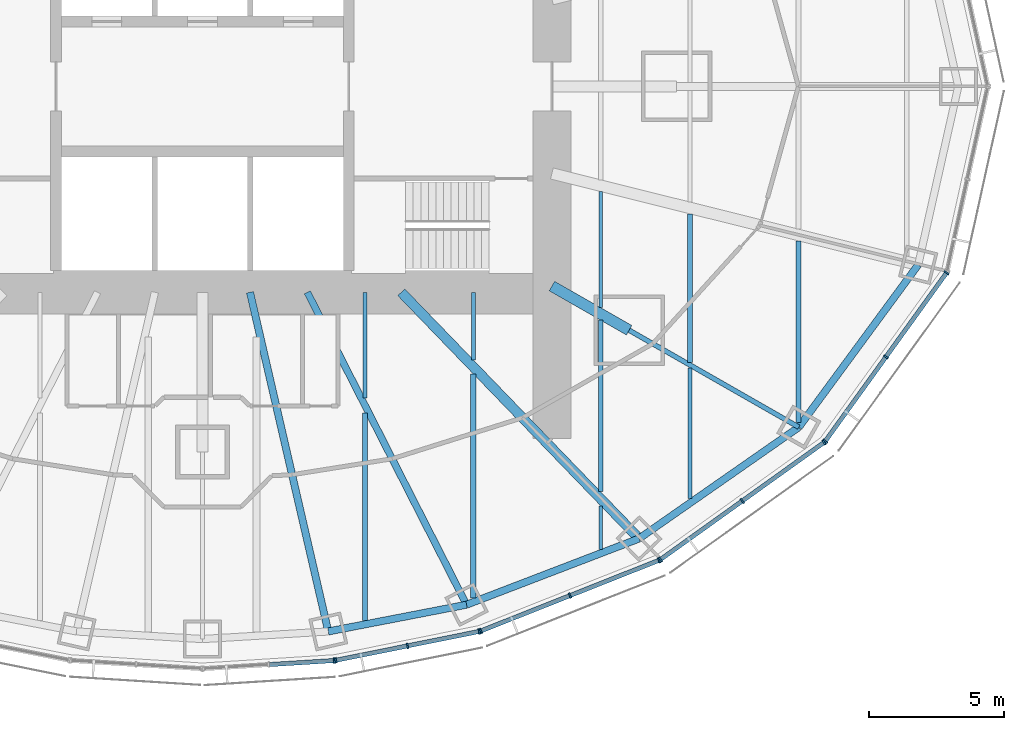
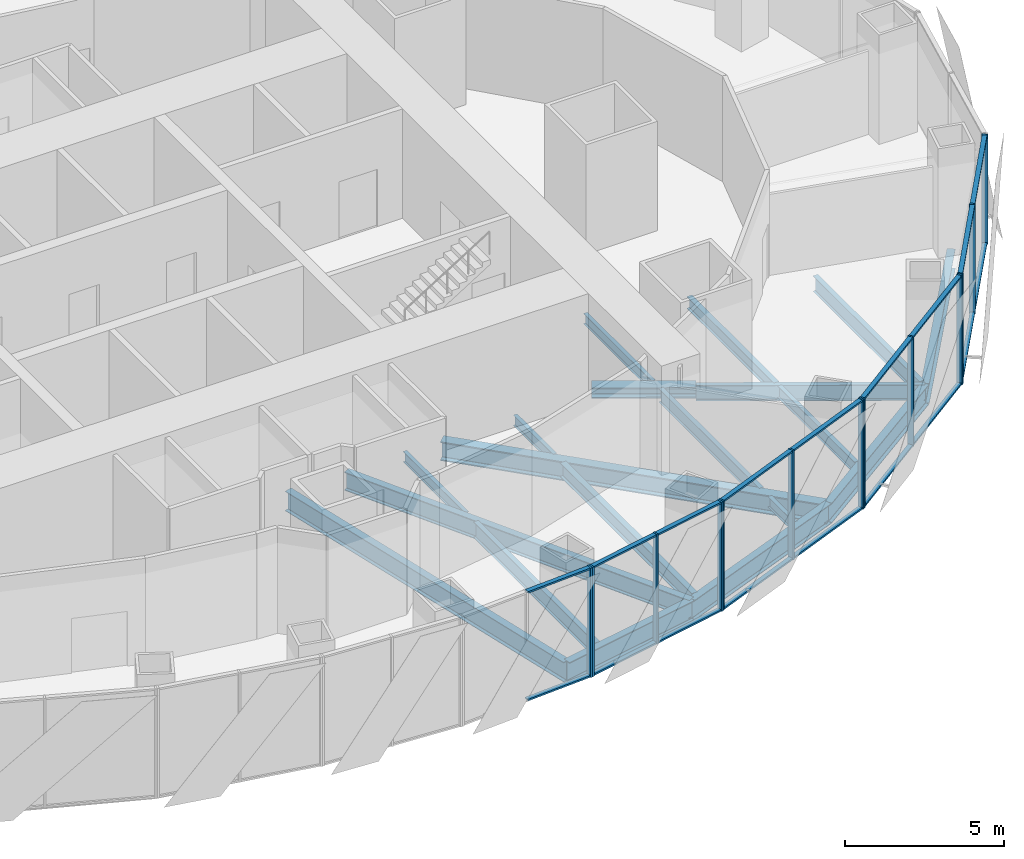
# One storey, part 5 of 17: 31 members, 19 beams, 5 elements without a shape of their own.
"""IFC4 building model written with IfcOpenShell, lengths in metres."""

from ifc_helpers import new_model, si_unit, direction, frame, origin, origin_2d, place, context, subcontext, project, spatial, rectangle, i_section, extrude, material, material_profile, profile_set, type_object, element, aggregate, save


model = new_model("IFC4")

# Units and contexts
model_context = context("Model", 3, precision=1e-05, world=origin(), true_north=direction((0.0, 1.0)))
body_context = subcontext(model_context, "Body", "Model", "MODEL_VIEW")
ifc_project = project(units=[si_unit("LENGTHUNIT", "METRE"), si_unit("AREAUNIT", "SQUARE_METRE"), si_unit("VOLUMEUNIT", "CUBIC_METRE"), si_unit("PLANEANGLEUNIT", "RADIAN"), si_unit("MASSUNIT", "GRAM", prefix="KILO")], contexts=[model_context])

# Site, building, storey
site_placement = place(None, origin())
site = spatial("IfcSite", under=ifc_project, at=site_placement, CompositionType="ELEMENT")
building_placement = place(site_placement, origin())
building = spatial("IfcBuilding", under=site, at=building_placement, Name="Lantaw Convention Tower", CompositionType="ELEMENT")
storey_placement = place(building_placement, frame((0.0, 0.0, 125.800048828125)))
storey = spatial("IfcBuildingStorey", under=building, at=storey_placement, Name="L29", CompositionType="ELEMENT", Elevation=125.800048828125)

# Beams
ifc_material_1 = material(Name="Steel ASTM A992", Category="steel")
ifc_material_profile_1 = material_profile(ifc_material_1, i_section(OverallWidth=0.2666015625, OverallDepth=0.76953125, WebThickness=0.015625, FlangeThickness=0.025390625, FilletRadius=0.0126953125, at=origin_2d()), Name="W30X132")
ifc_profile_set_1 = profile_set([ifc_material_profile_1], Name="Steel ASTM A992")
beam_type_1 = type_object("IfcBeamType", Name="Beam E W30X132", PredefinedType="SPANDREL", material=ifc_profile_set_1)
beam_1_placement = place(storey_placement, frame((4.64501953125, -20.1201171875, -0.534912109375), z_axis=(0.981796805654, 0.189934284446, 0.0), x_axis=(-0.189934284446, 0.981796805654, 0.0)))
element("IfcBeam", 1, at=beam_1_placement, inside=storey, type_object=beam_type_1, Name="Edge beam 20", PredefinedType="SPANDREL", context=body_context, shape_type="SweptSolid", body=[
    extrude(i_section(OverallWidth=0.2666015625, OverallDepth=0.76953125, WebThickness=0.015625, FlangeThickness=0.025390625, FilletRadius=0.0126953125, at=origin_2d()), origin(), (0.0, 0.0, 1.0), 5.1982421875),
])
beam_2_placement = place(storey_placement, frame((9.74853515625, -19.1328125, -0.534912109375), z_axis=(0.933691081977, 0.358079549033, 0.0), x_axis=(-0.358079549033, 0.933691081977, 0.0)))
element("IfcBeam", 2, at=beam_2_placement, inside=storey, type_object=beam_type_1, Name="Edge beam 21", PredefinedType="SPANDREL", context=body_context, shape_type="SweptSolid", body=[
    extrude(i_section(OverallWidth=0.2666015625, OverallDepth=0.76953125, WebThickness=0.015625, FlangeThickness=0.025390625, FilletRadius=0.0126953125, at=origin_2d()), origin(), (0.0, 0.0, 1.0), 6.821533203125),
])
beam_3_placement = place(storey_placement, frame((16.11767578125, -16.690185546875, -0.534912109375), z_axis=(0.820310765287, 0.57191804339, 0.0), x_axis=(-0.57191804339, 0.820310765287, 0.0)))
element("IfcBeam", 3, at=beam_3_placement, inside=storey, type_object=beam_type_1, Name="Edge beam 22", PredefinedType="SPANDREL", context=body_context, shape_type="SweptSolid", body=[
    extrude(i_section(OverallWidth=0.2666015625, OverallDepth=0.76953125, WebThickness=0.015625, FlangeThickness=0.025390625, FilletRadius=0.0126953125, at=origin_2d()), origin(), (0.0, 0.0, 1.0), 7.187744140625),
])
beam_4_placement = place(storey_placement, frame((22.013916015625, -12.579345703125, -0.534912109375), z_axis=(0.5923891972, 0.805651934176, 0.0), x_axis=(-0.805651934176, 0.5923891972, 0.0)))
element("IfcBeam", 4, at=beam_4_placement, inside=storey, type_object=beam_type_1, Name="Edge beam 23", PredefinedType="SPANDREL", context=body_context, shape_type="SweptSolid", body=[
    extrude(i_section(OverallWidth=0.2666015625, OverallDepth=0.76953125, WebThickness=0.015625, FlangeThickness=0.025390625, FilletRadius=0.0126953125, at=origin_2d()), origin(), (0.0, 0.0, 1.0), 7.437744140625),
])
ifc_material_profile_2 = material_profile(ifc_material_1, i_section(OverallWidth=0.177978515625, OverallDepth=0.599365234375, WebThickness=0.010009765625, FlangeThickness=0.012939453125, FilletRadius=0.012939453125, at=origin_2d()), Name="W24X55")
ifc_profile_set_2 = profile_set([ifc_material_profile_2], Name="Steel ASTM A992")
beam_type_2 = type_object("IfcBeamType", Name="Beam G W24X55", PredefinedType="BEAM", material=ifc_profile_set_2)
beam_5_placement = place(storey_placement, frame((15.75, -9.0, -0.44970703125), z_axis=(0.868245224608, -0.496135293993, 0.0), x_axis=(0.496135293993, 0.868245224608, 0.0)))
element("IfcBeam", 5, at=beam_5_placement, inside=storey, type_object=beam_type_2, Name="Floor girder on ray 23", PredefinedType="BEAM", context=body_context, shape_type="SweptSolid", body=[
    extrude(i_section(OverallWidth=0.177978515625, OverallDepth=0.599365234375, WebThickness=0.010009765625, FlangeThickness=0.012939453125, FilletRadius=0.012939453125, at=origin_2d()), origin(), (0.0, 0.0, 1.0), 7.21435546875),
])
ifc_material_profile_3 = material_profile(ifc_material_1, i_section(OverallWidth=0.25390625, OverallDepth=0.700927734375, WebThickness=0.015380859375, FlangeThickness=0.02783203125, FilletRadius=0.01513671875, at=origin_2d()), Name="W27X129")
ifc_profile_set_3 = profile_set([ifc_material_profile_3], Name="Steel ASTM A992")
beam_type_3 = type_object("IfcBeamType", Name="Beam G W27X129", PredefinedType="BEAM", material=ifc_profile_set_3)
beam_6_placement = place(storey_placement, frame((3.872314453125, -7.60009765625, -0.50048828125), z_axis=(0.453991051051, -0.891006243281, 0.0), x_axis=(0.891006243281, 0.453991051051, 0.0)))
element("IfcBeam", 6, at=beam_6_placement, inside=storey, type_object=beam_type_3, Name="Floor girder on ray 21", PredefinedType="BEAM", context=body_context, shape_type="SweptSolid", body=[
    extrude(i_section(OverallWidth=0.25390625, OverallDepth=0.700927734375, WebThickness=0.015380859375, FlangeThickness=0.02783203125, FilletRadius=0.01513671875, at=origin_2d()), origin(), (0.0, 0.0, 1.0), 12.943359375),
])
ifc_material_profile_4 = material_profile(ifc_material_1, i_section(OverallWidth=0.360595703125, OverallDepth=0.72900390625, WebThickness=0.023193359375, FlangeThickness=0.041015625, FilletRadius=0.0126953125, at=origin_2d()), Name="W27X235")
ifc_profile_set_4 = profile_set([ifc_material_profile_4], Name="Steel ASTM A992")
beam_type_4 = type_object("IfcBeamType", Name="Beam G W27X235", PredefinedType="BEAM", material=ifc_profile_set_4)
beam_7_placement = place(storey_placement, frame((7.33935546875, -7.60009765625, -0.5146484375), z_axis=(0.694663467407, -0.719334878239, 0.0), x_axis=(0.719334878239, 0.694663467407, 0.0)))
element("IfcBeam", 7, at=beam_7_placement, inside=storey, type_object=beam_type_4, Name="Floor girder on ray 22", PredefinedType="BEAM", context=body_context, shape_type="SweptSolid", body=[
    extrude(i_section(OverallWidth=0.360595703125, OverallDepth=0.72900390625, WebThickness=0.023193359375, FlangeThickness=0.041015625, FilletRadius=0.0126953125, at=origin_2d()), origin(), (0.0, 0.0, 1.0), 12.63671875),
])
ifc_material_profile_5 = material_profile(ifc_material_1, i_section(OverallWidth=0.2666015625, OverallDepth=0.7568359375, WebThickness=0.013916015625, FlangeThickness=0.019287109375, FilletRadius=0.0126953125, at=origin_2d()), Name="W30X108")
ifc_profile_set_5 = profile_set([ifc_material_profile_5], Name="Steel ASTM A992")
beam_type_5 = type_object("IfcBeamType", Name="Beam G W30X108", PredefinedType="BEAM", material=ifc_profile_set_5)
beam_8_placement = place(storey_placement, frame((1.754638671875, -7.60009765625, -0.528564453125), z_axis=(0.224944153104, -0.974371658036, 0.0), x_axis=(0.974371658036, 0.224944153104, 0.0)))
element("IfcBeam", 8, at=beam_8_placement, inside=storey, type_object=beam_type_5, Name="Floor girder on ray 20", PredefinedType="BEAM", context=body_context, shape_type="SweptSolid", body=[
    extrude(i_section(OverallWidth=0.2666015625, OverallDepth=0.7568359375, WebThickness=0.013916015625, FlangeThickness=0.019287109375, FilletRadius=0.0126953125, at=origin_2d()), origin(), (0.0, 0.0, 1.0), 12.849365234375),
])
ifc_material_profile_6 = material_profile(ifc_material_1, i_section(OverallWidth=0.40380859375, OverallDepth=0.406494140625, WebThickness=0.027099609375, FlangeThickness=0.043701171875, FilletRadius=0.01513671875, at=origin_2d()), Name="W14X233")
ifc_profile_set_6 = profile_set([ifc_material_profile_6], Name="Steel ASTM A992")
beam_type_6 = type_object("IfcBeamType", Name="Beam GM W14X233", PredefinedType="BEAM", material=ifc_profile_set_6)
beam_9_placement = place(storey_placement, frame((12.89990234375, -7.371337890625, -0.353271484375), z_axis=(0.868238565244, -0.496146947811, 0.0), x_axis=(0.496146947811, 0.868238565244, 0.0)))
element("IfcBeam", 9, at=beam_9_placement, inside=storey, type_object=beam_type_6, Name="Core link beam on ray 23", PredefinedType="BEAM", context=body_context, shape_type="SweptSolid", body=[
    extrude(i_section(OverallWidth=0.40380859375, OverallDepth=0.406494140625, WebThickness=0.027099609375, FlangeThickness=0.043701171875, FilletRadius=0.01513671875, at=origin_2d()), origin(), (0.0, 0.0, 1.0), 3.28271484375),
])
ifc_material_profile_7 = material_profile(ifc_material_1, i_section(OverallWidth=0.140380859375, OverallDepth=0.40380859375, WebThickness=0.007080078125, FlangeThickness=0.01123046875, FilletRadius=0.01025390625, at=origin_2d()), Name="W16X31")
ifc_profile_set_7 = profile_set([ifc_material_profile_7], Name="Steel ASTM A992")
beam_type_7 = type_object("IfcBeamType", Name="Beam J W16X31", PredefinedType="JOIST", material=ifc_profile_set_7)
beam_10_placement = place(storey_placement, frame((6.0, -11.495849609375, -0.35205078125), z_axis=(0.0, 1.0, 0.0), x_axis=(-1.0, 0.0, 0.0)))
element("IfcBeam", 10, at=beam_10_placement, inside=storey, type_object=beam_type_7, Name="Floor joist", PredefinedType="JOIST", context=body_context, shape_type="SweptSolid", body=[
    extrude(i_section(OverallWidth=0.140380859375, OverallDepth=0.40380859375, WebThickness=0.007080078125, FlangeThickness=0.01123046875, FilletRadius=0.01025390625, at=origin_2d()), origin(), (0.0, 0.0, 1.0), 3.895751953125),
])
beam_11_placement = place(storey_placement, frame((10.0, -10.095703125, -0.35205078125), z_axis=(0.0, 1.0, 0.0), x_axis=(-1.0, 0.0, 0.0)))
element("IfcBeam", 11, at=beam_11_placement, inside=storey, type_object=beam_type_7, Name="Floor joist", PredefinedType="JOIST", context=body_context, shape_type="SweptSolid", body=[
    extrude(i_section(OverallWidth=0.140380859375, OverallDepth=0.40380859375, WebThickness=0.007080078125, FlangeThickness=0.01123046875, FilletRadius=0.01025390625, at=origin_2d()), origin(), (0.0, 0.0, 1.0), 2.49560546875),
])
beam_12_placement = place(storey_placement, frame((14.699951171875, -17.091064453125, -0.35205078125), z_axis=(0.0, 1.0, 0.0), x_axis=(-1.0, 0.0, 0.0)))
element("IfcBeam", 12, at=beam_12_placement, inside=storey, type_object=beam_type_7, Name="Floor joist", PredefinedType="JOIST", context=body_context, shape_type="SweptSolid", body=[
    extrude(i_section(OverallWidth=0.140380859375, OverallDepth=0.40380859375, WebThickness=0.007080078125, FlangeThickness=0.01123046875, FilletRadius=0.01025390625, at=origin_2d()), origin(), (0.0, 0.0, 1.0), 1.609130859375),
])
beam_13_placement = place(storey_placement, frame((14.699951171875, -8.16748046875, -0.35205078125), z_axis=(0.0, 1.0, 0.0), x_axis=(-1.0, 0.0, 0.0)))
element("IfcBeam", 13, at=beam_13_placement, inside=storey, type_object=beam_type_7, Name="Floor joist", PredefinedType="JOIST", context=body_context, shape_type="SweptSolid", body=[
    extrude(i_section(OverallWidth=0.140380859375, OverallDepth=0.40380859375, WebThickness=0.007080078125, FlangeThickness=0.01123046875, FilletRadius=0.01025390625, at=origin_2d()), origin(), (0.0, 0.0, 1.0), 4.28515625),
])
ifc_material_profile_8 = material_profile(ifc_material_1, i_section(OverallWidth=0.15234375, OverallDepth=0.449462890625, WebThickness=0.007568359375, FlangeThickness=0.0107421875, FilletRadius=0.01025390625, at=origin_2d()), Name="W18X35")
ifc_profile_set_8 = profile_set([ifc_material_profile_8], Name="Steel ASTM A992")
beam_type_8 = type_object("IfcBeamType", Name="Beam J W18X35", PredefinedType="JOIST", material=ifc_profile_set_8)
beam_14_placement = place(storey_placement, frame((18.0, -15.21533203125, -0.374755859375), z_axis=(0.0, 1.0, 0.0), x_axis=(-1.0, 0.0, 0.0)))
element("IfcBeam", 14, at=beam_14_placement, inside=storey, type_object=beam_type_8, Name="Floor joist", PredefinedType="JOIST", context=body_context, shape_type="SweptSolid", body=[
    extrude(i_section(OverallWidth=0.15234375, OverallDepth=0.449462890625, WebThickness=0.007568359375, FlangeThickness=0.0107421875, FilletRadius=0.01025390625, at=origin_2d()), origin(), (0.0, 0.0, 1.0), 4.8271484375),
])
ifc_material_profile_9 = material_profile(ifc_material_1, i_section(OverallWidth=0.1904296875, OverallDepth=0.457275390625, WebThickness=0.009033203125, FlangeThickness=0.014404296875, FilletRadius=0.01025390625, at=origin_2d()), Name="W18X50")
ifc_profile_set_9 = profile_set([ifc_material_profile_9], Name="Steel ASTM A992")
beam_type_9 = type_object("IfcBeamType", Name="Beam J W18X50", PredefinedType="JOIST", material=ifc_profile_set_9)
beam_15_placement = place(storey_placement, frame((18.0, -10.18310546875, -0.378662109375), z_axis=(0.0, 1.0, 0.0), x_axis=(-1.0, 0.0, 0.0)))
element("IfcBeam", 15, at=beam_15_placement, inside=storey, type_object=beam_type_9, Name="Floor joist", PredefinedType="JOIST", context=body_context, shape_type="SweptSolid", body=[
    extrude(i_section(OverallWidth=0.1904296875, OverallDepth=0.457275390625, WebThickness=0.009033203125, FlangeThickness=0.014404296875, FilletRadius=0.01025390625, at=origin_2d()), origin(), (0.0, 0.0, 1.0), 5.47802734375),
])
ifc_material_profile_10 = material_profile(ifc_material_1, i_section(OverallWidth=0.1650390625, OverallDepth=0.52587890625, WebThickness=0.0087890625, FlangeThickness=0.011474609375, FilletRadius=0.0126953125, at=origin_2d()), Name="W21X44")
ifc_profile_set_10 = profile_set([ifc_material_profile_10], Name="Steel ASTM A992")
beam_type_10 = type_object("IfcBeamType", Name="Beam J W21X44", PredefinedType="JOIST", material=ifc_profile_set_10)
beam_16_placement = place(storey_placement, frame((14.699951171875, -14.962646484375, -0.412841796875), z_axis=(0.0, 1.0, 0.0), x_axis=(-1.0, 0.0, 0.0)))
element("IfcBeam", 16, at=beam_16_placement, inside=storey, type_object=beam_type_10, Name="Floor joist", PredefinedType="JOIST", context=body_context, shape_type="SweptSolid", body=[
    extrude(i_section(OverallWidth=0.1650390625, OverallDepth=0.52587890625, WebThickness=0.0087890625, FlangeThickness=0.011474609375, FilletRadius=0.0126953125, at=origin_2d()), origin(), (0.0, 0.0, 1.0), 6.330078125),
])
ifc_material_profile_11 = material_profile(ifc_material_1, i_section(OverallWidth=0.2099609375, OverallDepth=0.535888671875, WebThickness=0.010986328125, FlangeThickness=0.017333984375, FilletRadius=0.012939453125, at=origin_2d()), Name="W21X68")
ifc_profile_set_11 = profile_set([ifc_material_profile_11], Name="Steel ASTM A992")
beam_type_11 = type_object("IfcBeamType", Name="Beam J W21X68", PredefinedType="JOIST", material=ifc_profile_set_11)
beam_17_placement = place(storey_placement, frame((10.0, -18.8935546875, -0.41796875), z_axis=(0.0, 1.0, 0.0), x_axis=(-1.0, 0.0, 0.0)))
element("IfcBeam", 17, at=beam_17_placement, inside=storey, type_object=beam_type_11, Name="Floor joist", PredefinedType="JOIST", context=body_context, shape_type="SweptSolid", body=[
    extrude(i_section(OverallWidth=0.2099609375, OverallDepth=0.535888671875, WebThickness=0.010986328125, FlangeThickness=0.017333984375, FilletRadius=0.012939453125, at=origin_2d()), origin(), (0.0, 0.0, 1.0), 8.278564453125),
])
ifc_material_profile_12 = material_profile(ifc_material_1, i_section(OverallWidth=0.177978515625, OverallDepth=0.599365234375, WebThickness=0.010009765625, FlangeThickness=0.012939453125, FilletRadius=0.012939453125, at=origin_2d()), Name="W24X55")
ifc_profile_set_12 = profile_set([ifc_material_profile_12], Name="Steel ASTM A992")
beam_type_12 = type_object("IfcBeamType", Name="Beam J W24X55", PredefinedType="JOIST", material=ifc_profile_set_12)
beam_18_placement = place(storey_placement, frame((6.0, -19.72216796875, -0.44970703125), z_axis=(0.0, 1.0, 0.0), x_axis=(-1.0, 0.0, 0.0)))
element("IfcBeam", 18, at=beam_18_placement, inside=storey, type_object=beam_type_12, Name="Floor joist", PredefinedType="JOIST", context=body_context, shape_type="SweptSolid", body=[
    extrude(i_section(OverallWidth=0.177978515625, OverallDepth=0.599365234375, WebThickness=0.010009765625, FlangeThickness=0.012939453125, FilletRadius=0.012939453125, at=origin_2d()), origin(), (0.0, 0.0, 1.0), 7.666748046875),
])
beam_19_placement = place(storey_placement, frame((22.0, -12.408935546875, -0.44970703125), z_axis=(0.0, 1.0, 0.0), x_axis=(-1.0, 0.0, 0.0)))
element("IfcBeam", 19, at=beam_19_placement, inside=storey, type_object=beam_type_12, Name="Floor joist", PredefinedType="JOIST", context=body_context, shape_type="SweptSolid", body=[
    extrude(i_section(OverallWidth=0.177978515625, OverallDepth=0.599365234375, WebThickness=0.010009765625, FlangeThickness=0.012939453125, FilletRadius=0.012939453125, at=origin_2d()), origin(), (0.0, 0.0, 1.0), 6.70654296875),
])

# Curtain wall, member
ifc_material_2 = material(Name="Aluminium framed curtain wall", Category="aluminium")
curtain_wall_type = type_object("IfcCurtainWallType", Name="Office curtain wall low rise, pale aluminium", PredefinedType="USERDEFINED", material=ifc_material_2)
curtain_wall_1_placement = place(storey_placement, origin())
curtain_wall_1 = element("IfcCurtainWall", 20, at=curtain_wall_1_placement, inside=storey, type_object=curtain_wall_type, Name="Office curtain wall low rise, pale aluminium L29", ObjectType="UNITISED CURTAIN WALL", PredefinedType="USERDEFINED")
ifc_material_3 = material(Name="Aluminium 6063-T6", Category="aluminium")
ifc_material_profile_13 = material_profile(ifc_material_3, rectangle(XDim=0.199951171875, YDim=0.06494140625, at=origin_2d()), Name="CW-O1 mullion 65x200")
ifc_profile_set_13 = profile_set([ifc_material_profile_13], Name="Aluminium 6063-T6")
member_type_1 = type_object("IfcMemberType", Name="CW-O1 mullion 65x200", PredefinedType="MULLION", material=ifc_profile_set_13)
member_1_placement = place(storey_placement, frame((4.860107421875, -21.19384765625, -0.150146484375), z_axis=(0.0, 0.0, 1.0), x_axis=(-0.062865059466, 0.998022035978, 0.0)))
member_1 = element("IfcMember", 21, at=member_1_placement, type_object=member_type_1, Name="CW-O1 mullion 3", PredefinedType="MULLION", context=body_context, shape_type="SweptSolid", body=[
    extrude(rectangle(XDim=0.199951171875, YDim=0.06494140625, at=origin_2d()), origin(), (0.0, 0.0, 1.0), 4.2001953125),
])

# Curtain wall, members
curtain_wall_2_placement = place(storey_placement, origin())
curtain_wall_2 = element("IfcCurtainWall", 22, at=curtain_wall_2_placement, inside=storey, type_object=curtain_wall_type, Name="Office curtain wall low rise, pale aluminium L29", ObjectType="UNITISED CURTAIN WALL", PredefinedType="USERDEFINED")
member_2_placement = place(storey_placement, frame((4.92431640625, -21.185302734375, -0.150146484375), z_axis=(0.0, 0.0, 1.0), x_axis=(-0.197506809659, 0.980301514912, 0.0)))
member_2 = element("IfcMember", 23, at=member_2_placement, type_object=member_type_1, Name="CW-O1 mullion 1", PredefinedType="MULLION", context=body_context, shape_type="SweptSolid", body=[
    extrude(rectangle(XDim=0.199951171875, YDim=0.06494140625, at=origin_2d()), origin(), (0.0, 0.0, 1.0), 4.2001953125),
])
member_3_placement = place(storey_placement, frame((7.5703125, -20.65234375, -0.150146484375), z_axis=(0.0, 0.0, 1.0), x_axis=(-0.197506809659, 0.980301514912, 0.0)))
member_3 = element("IfcMember", 24, at=member_3_placement, type_object=member_type_1, Name="CW-O1 mullion 2", PredefinedType="MULLION", context=body_context, shape_type="SweptSolid", body=[
    extrude(rectangle(XDim=0.199951171875, YDim=0.06494140625, at=origin_2d()), origin(), (0.0, 0.0, 1.0), 4.2001953125),
])
member_4_placement = place(storey_placement, frame((10.216064453125, -20.119140625, -0.150146484375), z_axis=(0.0, 0.0, 1.0), x_axis=(-0.197506809659, 0.980301514912, 0.0)))
member_4 = element("IfcMember", 25, at=member_4_placement, type_object=member_type_1, Name="CW-O1 mullion 3", PredefinedType="MULLION", context=body_context, shape_type="SweptSolid", body=[
    extrude(rectangle(XDim=0.199951171875, YDim=0.06494140625, at=origin_2d()), origin(), (0.0, 0.0, 1.0), 4.2001953125),
])

curtain_wall_3_placement = place(storey_placement, origin())
curtain_wall_3 = element("IfcCurtainWall", 26, at=curtain_wall_3_placement, inside=storey, type_object=curtain_wall_type, Name="Office curtain wall low rise, pale aluminium L29", ObjectType="UNITISED CURTAIN WALL", PredefinedType="USERDEFINED")
member_5_placement = place(storey_placement, frame((10.2783203125, -20.100830078125, -0.150146484375), z_axis=(0.0, 0.0, 1.0), x_axis=(-0.368701907483, 0.929547687544, 0.0)))
member_5 = element("IfcMember", 27, at=member_5_placement, type_object=member_type_1, Name="CW-O1 mullion 1", PredefinedType="MULLION", context=body_context, shape_type="SweptSolid", body=[
    extrude(rectangle(XDim=0.199951171875, YDim=0.06494140625, at=origin_2d()), origin(), (0.0, 0.0, 1.0), 4.2001953125),
])
member_6_placement = place(storey_placement, frame((13.56494140625, -18.797119140625, -0.150146484375), z_axis=(0.0, 0.0, 1.0), x_axis=(-0.368701907483, 0.929547687544, 0.0)))
member_6 = element("IfcMember", 28, at=member_6_placement, type_object=member_type_1, Name="CW-O1 mullion 2", PredefinedType="MULLION", context=body_context, shape_type="SweptSolid", body=[
    extrude(rectangle(XDim=0.199951171875, YDim=0.06494140625, at=origin_2d()), origin(), (0.0, 0.0, 1.0), 4.2001953125),
])
member_7_placement = place(storey_placement, frame((16.8515625, -17.49365234375, -0.150146484375), z_axis=(0.0, 0.0, 1.0), x_axis=(-0.368701907483, 0.929547687544, 0.0)))
member_7 = element("IfcMember", 29, at=member_7_placement, type_object=member_type_1, Name="CW-O1 mullion 3", PredefinedType="MULLION", context=body_context, shape_type="SweptSolid", body=[
    extrude(rectangle(XDim=0.199951171875, YDim=0.06494140625, at=origin_2d()), origin(), (0.0, 0.0, 1.0), 4.2001953125),
])

curtain_wall_4_placement = place(storey_placement, origin())
curtain_wall_4 = element("IfcCurtainWall", 30, at=curtain_wall_4_placement, inside=storey, type_object=curtain_wall_type, Name="Office curtain wall low rise, pale aluminium L29", ObjectType="UNITISED CURTAIN WALL", PredefinedType="USERDEFINED")
member_8_placement = place(storey_placement, frame((16.908203125, -17.462646484375, -0.150146484375), z_axis=(0.0, 0.0, 1.0), x_axis=(-0.581972695693, 0.813208325995, 0.0)))
member_8 = element("IfcMember", 31, at=member_8_placement, type_object=member_type_1, Name="CW-O1 mullion 1", PredefinedType="MULLION", context=body_context, shape_type="SweptSolid", body=[
    extrude(rectangle(XDim=0.199951171875, YDim=0.06494140625, at=origin_2d()), origin(), (0.0, 0.0, 1.0), 4.2001953125),
])
member_9_placement = place(storey_placement, frame((19.92529296875, -15.303466796875, -0.150146484375), z_axis=(0.0, 0.0, 1.0), x_axis=(-0.581972695693, 0.813208325995, 0.0)))
member_9 = element("IfcMember", 32, at=member_9_placement, type_object=member_type_1, Name="CW-O1 mullion 2", PredefinedType="MULLION", context=body_context, shape_type="SweptSolid", body=[
    extrude(rectangle(XDim=0.199951171875, YDim=0.06494140625, at=origin_2d()), origin(), (0.0, 0.0, 1.0), 4.2001953125),
])
member_10_placement = place(storey_placement, frame((22.942626953125, -13.14404296875, -0.150146484375), z_axis=(0.0, 0.0, 1.0), x_axis=(-0.581972695693, 0.813208325995, 0.0)))
member_10 = element("IfcMember", 33, at=member_10_placement, type_object=member_type_1, Name="CW-O1 mullion 3", PredefinedType="MULLION", context=body_context, shape_type="SweptSolid", body=[
    extrude(rectangle(XDim=0.199951171875, YDim=0.06494140625, at=origin_2d()), origin(), (0.0, 0.0, 1.0), 4.2001953125),
])

curtain_wall_5_placement = place(storey_placement, origin())
curtain_wall_5 = element("IfcCurtainWall", 34, at=curtain_wall_5_placement, inside=storey, type_object=curtain_wall_type, Name="Office curtain wall low rise, pale aluminium L29", ObjectType="UNITISED CURTAIN WALL", PredefinedType="USERDEFINED")
member_11_placement = place(storey_placement, frame((22.988037109375, -13.098876953125, -0.150146484375), z_axis=(0.0, 0.0, 1.0), x_axis=(-0.811384633629, 0.584512597221, 0.0)))
member_11 = element("IfcMember", 35, at=member_11_placement, type_object=member_type_1, Name="CW-O1 mullion 1", PredefinedType="MULLION", context=body_context, shape_type="SweptSolid", body=[
    extrude(rectangle(XDim=0.199951171875, YDim=0.06494140625, at=origin_2d()), origin(), (0.0, 0.0, 1.0), 4.2001953125),
])
member_12_placement = place(storey_placement, frame((25.22802734375, -9.9892578125, -0.150146484375), z_axis=(0.0, 0.0, 1.0), x_axis=(-0.811384633629, 0.584512597221, 0.0)))
member_12 = element("IfcMember", 36, at=member_12_placement, type_object=member_type_1, Name="CW-O1 mullion 2", PredefinedType="MULLION", context=body_context, shape_type="SweptSolid", body=[
    extrude(rectangle(XDim=0.199951171875, YDim=0.06494140625, at=origin_2d()), origin(), (0.0, 0.0, 1.0), 4.2001953125),
])
member_13_placement = place(storey_placement, frame((27.46826171875, -6.879638671875, -0.150146484375), z_axis=(0.0, 0.0, 1.0), x_axis=(-0.811384633629, 0.584512597221, 0.0)))
member_13 = element("IfcMember", 37, at=member_13_placement, type_object=member_type_1, Name="CW-O1 mullion 3", PredefinedType="MULLION", context=body_context, shape_type="SweptSolid", body=[
    extrude(rectangle(XDim=0.199951171875, YDim=0.06494140625, at=origin_2d()), origin(), (0.0, 0.0, 1.0), 4.2001953125),
])

# Member
ifc_material_profile_14 = material_profile(ifc_material_3, rectangle(XDim=0.159912109375, YDim=0.06494140625, at=origin_2d()), Name="CW-O1 transom 65x160")
ifc_profile_set_14 = profile_set([ifc_material_profile_14], Name="Aluminium 6063-T6")
member_type_2 = type_object("IfcMemberType", Name="CW-O1 transom 65x160", PredefinedType="USERDEFINED", material=ifc_profile_set_14)
member_14_placement = place(storey_placement, frame((2.478759765625, -21.34375, -0.117431640625), z_axis=(0.998022188463, 0.062862638625, 0.0), x_axis=(-0.062862638625, 0.998022188463, 0.0)))
member_14 = element("IfcMember", 38, at=member_14_placement, type_object=member_type_2, Name="CW-O1 transom 2.1", ObjectType="TRANSOM", PredefinedType="USERDEFINED", context=body_context, shape_type="SweptSolid", body=[
    extrude(rectangle(XDim=0.159912109375, YDim=0.06494140625, at=origin_2d()), origin(), (0.0, 0.0, 1.0), 2.353515625),
])

member_15_placement = place(storey_placement, frame((2.478759765625, -21.34375, 4.017333984375), z_axis=(0.998022188463, 0.062862638625, 0.0), x_axis=(-0.062862638625, 0.998022188463, 0.0)))
member_15 = element("IfcMember", 39, at=member_15_placement, type_object=member_type_2, Name="CW-O1 transom 2.2", ObjectType="TRANSOM", PredefinedType="USERDEFINED", context=body_context, shape_type="SweptSolid", body=[
    extrude(rectangle(XDim=0.159912109375, YDim=0.06494140625, at=origin_2d()), origin(), (0.0, 0.0, 1.0), 2.353515625),
])

aggregate(curtain_wall_1, [member_1, member_14, member_15])

member_16_placement = place(storey_placement, frame((4.956298828125, -21.178955078125, -0.117431640625), z_axis=(0.980298027092, 0.197524120247, 0.0), x_axis=(-0.197524120247, 0.980298027092, 0.0)))
member_16 = element("IfcMember", 40, at=member_16_placement, type_object=member_type_2, Name="CW-O1 transom 1.1", ObjectType="TRANSOM", PredefinedType="USERDEFINED", context=body_context, shape_type="SweptSolid", body=[
    extrude(rectangle(XDim=0.159912109375, YDim=0.06494140625, at=origin_2d()), origin(), (0.0, 0.0, 1.0), 2.634033203125),
])

member_17_placement = place(storey_placement, frame((4.956298828125, -21.178955078125, 4.017333984375), z_axis=(0.980298027092, 0.197524120247, 0.0), x_axis=(-0.197524120247, 0.980298027092, 0.0)))
member_17 = element("IfcMember", 41, at=member_17_placement, type_object=member_type_2, Name="CW-O1 transom 1.2", ObjectType="TRANSOM", PredefinedType="USERDEFINED", context=body_context, shape_type="SweptSolid", body=[
    extrude(rectangle(XDim=0.159912109375, YDim=0.06494140625, at=origin_2d()), origin(), (0.0, 0.0, 1.0), 2.634033203125),
])

member_18_placement = place(storey_placement, frame((7.60205078125, -20.64599609375, -0.117431640625), z_axis=(0.980301643003, 0.197506173891, 0.0), x_axis=(-0.197506173891, 0.980301643003, 0.0)))
member_18 = element("IfcMember", 42, at=member_18_placement, type_object=member_type_2, Name="CW-O1 transom 2.1", ObjectType="TRANSOM", PredefinedType="USERDEFINED", context=body_context, shape_type="SweptSolid", body=[
    extrude(rectangle(XDim=0.159912109375, YDim=0.06494140625, at=origin_2d()), origin(), (0.0, 0.0, 1.0), 2.63427734375),
])

member_19_placement = place(storey_placement, frame((7.60205078125, -20.64599609375, 4.017333984375), z_axis=(0.980301643003, 0.197506173891, 0.0), x_axis=(-0.197506173891, 0.980301643003, 0.0)))
member_19 = element("IfcMember", 43, at=member_19_placement, type_object=member_type_2, Name="CW-O1 transom 2.2", ObjectType="TRANSOM", PredefinedType="USERDEFINED", context=body_context, shape_type="SweptSolid", body=[
    extrude(rectangle(XDim=0.159912109375, YDim=0.06494140625, at=origin_2d()), origin(), (0.0, 0.0, 1.0), 2.63427734375),
])

aggregate(curtain_wall_2, [member_2, member_3, member_4, member_16, member_17, member_18, member_19])

member_20_placement = place(storey_placement, frame((10.308349609375, -20.0888671875, -0.117431640625), z_axis=(0.929540081544, 0.368721082668, 0.0), x_axis=(-0.368721082668, 0.929540081544, 0.0)))
member_20 = element("IfcMember", 44, at=member_20_placement, type_object=member_type_2, Name="CW-O1 transom 1.1", ObjectType="TRANSOM", PredefinedType="USERDEFINED", context=body_context, shape_type="SweptSolid", body=[
    extrude(rectangle(XDim=0.159912109375, YDim=0.06494140625, at=origin_2d()), origin(), (0.0, 0.0, 1.0), 3.470947265625),
])

member_21_placement = place(storey_placement, frame((10.308349609375, -20.0888671875, 4.017333984375), z_axis=(0.929540081544, 0.368721082668, 0.0), x_axis=(-0.368721082668, 0.929540081544, 0.0)))
member_21 = element("IfcMember", 45, at=member_21_placement, type_object=member_type_2, Name="CW-O1 transom 1.2", ObjectType="TRANSOM", PredefinedType="USERDEFINED", context=body_context, shape_type="SweptSolid", body=[
    extrude(rectangle(XDim=0.159912109375, YDim=0.06494140625, at=origin_2d()), origin(), (0.0, 0.0, 1.0), 3.470947265625),
])

member_22_placement = place(storey_placement, frame((13.594970703125, -18.78515625, -0.117431640625), z_axis=(0.929564188507, 0.368660303592, 0.0), x_axis=(-0.368660303592, 0.929564188507, 0.0)))
member_22 = element("IfcMember", 46, at=member_22_placement, type_object=member_type_2, Name="CW-O1 transom 2.1", ObjectType="TRANSOM", PredefinedType="USERDEFINED", context=body_context, shape_type="SweptSolid", body=[
    extrude(rectangle(XDim=0.159912109375, YDim=0.06494140625, at=origin_2d()), origin(), (0.0, 0.0, 1.0), 3.470703125),
])

member_23_placement = place(storey_placement, frame((13.594970703125, -18.78515625, 4.017333984375), z_axis=(0.929564188507, 0.368660303592, 0.0), x_axis=(-0.368660303592, 0.929564188507, 0.0)))
member_23 = element("IfcMember", 47, at=member_23_placement, type_object=member_type_2, Name="CW-O1 transom 2.2", ObjectType="TRANSOM", PredefinedType="USERDEFINED", context=body_context, shape_type="SweptSolid", body=[
    extrude(rectangle(XDim=0.159912109375, YDim=0.06494140625, at=origin_2d()), origin(), (0.0, 0.0, 1.0), 3.470703125),
])

aggregate(curtain_wall_3, [member_5, member_6, member_7, member_20, member_21, member_22, member_23])

member_24_placement = place(storey_placement, frame((16.9345703125, -17.44384765625, -0.117431640625), z_axis=(0.813190089133, 0.581998177777, 0.0), x_axis=(-0.581998177777, 0.813190089133, 0.0)))
member_24 = element("IfcMember", 48, at=member_24_placement, type_object=member_type_2, Name="CW-O1 transom 1.1", ObjectType="TRANSOM", PredefinedType="USERDEFINED", context=body_context, shape_type="SweptSolid", body=[
    extrude(rectangle(XDim=0.159912109375, YDim=0.06494140625, at=origin_2d()), origin(), (0.0, 0.0, 1.0), 3.645263671875),
])

member_25_placement = place(storey_placement, frame((16.9345703125, -17.44384765625, 4.017333984375), z_axis=(0.813190089133, 0.581998177777, 0.0), x_axis=(-0.581998177777, 0.813190089133, 0.0)))
member_25 = element("IfcMember", 49, at=member_25_placement, type_object=member_type_2, Name="CW-O1 transom 1.2", ObjectType="TRANSOM", PredefinedType="USERDEFINED", context=body_context, shape_type="SweptSolid", body=[
    extrude(rectangle(XDim=0.159912109375, YDim=0.06494140625, at=origin_2d()), origin(), (0.0, 0.0, 1.0), 3.645263671875),
])

member_26_placement = place(storey_placement, frame((19.951904296875, -15.284423828125, -0.117431640625), z_axis=(0.813221785972, 0.581953887194, 0.0), x_axis=(-0.581953887194, 0.813221785972, 0.0)))
member_26 = element("IfcMember", 50, at=member_26_placement, type_object=member_type_2, Name="CW-O1 transom 2.1", ObjectType="TRANSOM", PredefinedType="USERDEFINED", context=body_context, shape_type="SweptSolid", body=[
    extrude(rectangle(XDim=0.159912109375, YDim=0.06494140625, at=origin_2d()), origin(), (0.0, 0.0, 1.0), 3.645263671875),
])

member_27_placement = place(storey_placement, frame((19.951904296875, -15.284423828125, 4.017333984375), z_axis=(0.813221785972, 0.581953887194, 0.0), x_axis=(-0.581953887194, 0.813221785972, 0.0)))
member_27 = element("IfcMember", 51, at=member_27_placement, type_object=member_type_2, Name="CW-O1 transom 2.2", ObjectType="TRANSOM", PredefinedType="USERDEFINED", context=body_context, shape_type="SweptSolid", body=[
    extrude(rectangle(XDim=0.159912109375, YDim=0.06494140625, at=origin_2d()), origin(), (0.0, 0.0, 1.0), 3.645263671875),
])

aggregate(curtain_wall_4, [member_8, member_9, member_10, member_24, member_25, member_26, member_27])

member_28_placement = place(storey_placement, frame((23.007080078125, -13.072509765625, -0.117431640625), z_axis=(0.584512973979, 0.811384362217, 0.0), x_axis=(-0.811384362217, 0.584512973979, 0.0)))
member_28 = element("IfcMember", 52, at=member_28_placement, type_object=member_type_2, Name="CW-O1 transom 1.1", ObjectType="TRANSOM", PredefinedType="USERDEFINED", context=body_context, shape_type="SweptSolid", body=[
    extrude(rectangle(XDim=0.159912109375, YDim=0.06494140625, at=origin_2d()), origin(), (0.0, 0.0, 1.0), 3.767578125),
])

member_29_placement = place(storey_placement, frame((23.007080078125, -13.072509765625, 4.017333984375), z_axis=(0.584512973979, 0.811384362217, 0.0), x_axis=(-0.811384362217, 0.584512973979, 0.0)))
member_29 = element("IfcMember", 53, at=member_29_placement, type_object=member_type_2, Name="CW-O1 transom 1.2", ObjectType="TRANSOM", PredefinedType="USERDEFINED", context=body_context, shape_type="SweptSolid", body=[
    extrude(rectangle(XDim=0.159912109375, YDim=0.06494140625, at=origin_2d()), origin(), (0.0, 0.0, 1.0), 3.767578125),
])

member_30_placement = place(storey_placement, frame((25.2470703125, -9.962890625, -0.117431640625), z_axis=(0.584512973979, 0.811384362217, 0.0), x_axis=(-0.811384362217, 0.584512973979, 0.0)))
member_30 = element("IfcMember", 54, at=member_30_placement, type_object=member_type_2, Name="CW-O1 transom 2.1", ObjectType="TRANSOM", PredefinedType="USERDEFINED", context=body_context, shape_type="SweptSolid", body=[
    extrude(rectangle(XDim=0.159912109375, YDim=0.06494140625, at=origin_2d()), origin(), (0.0, 0.0, 1.0), 3.767578125),
])

member_31_placement = place(storey_placement, frame((25.2470703125, -9.962890625, 4.017333984375), z_axis=(0.584512973979, 0.811384362217, 0.0), x_axis=(-0.811384362217, 0.584512973979, 0.0)))
member_31 = element("IfcMember", 55, at=member_31_placement, type_object=member_type_2, Name="CW-O1 transom 2.2", ObjectType="TRANSOM", PredefinedType="USERDEFINED", context=body_context, shape_type="SweptSolid", body=[
    extrude(rectangle(XDim=0.159912109375, YDim=0.06494140625, at=origin_2d()), origin(), (0.0, 0.0, 1.0), 3.767578125),
])

aggregate(curtain_wall_5, [member_11, member_12, member_13, member_28, member_29, member_30, member_31])

save(model, "model.ifc")
